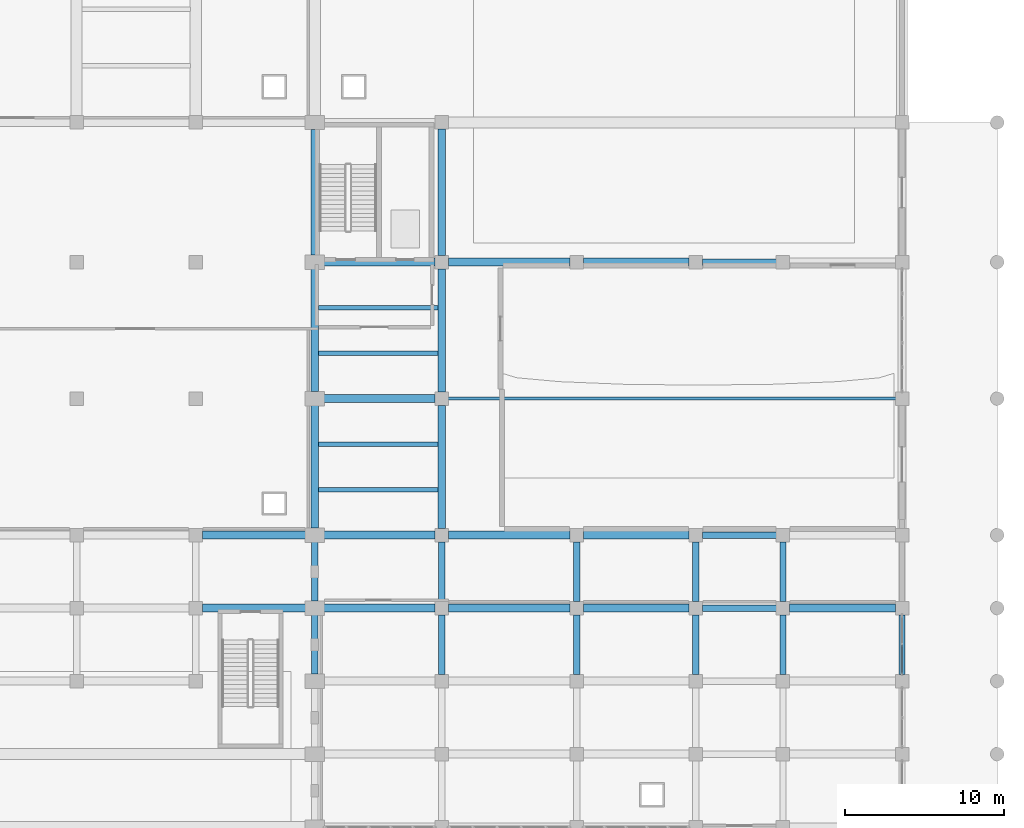
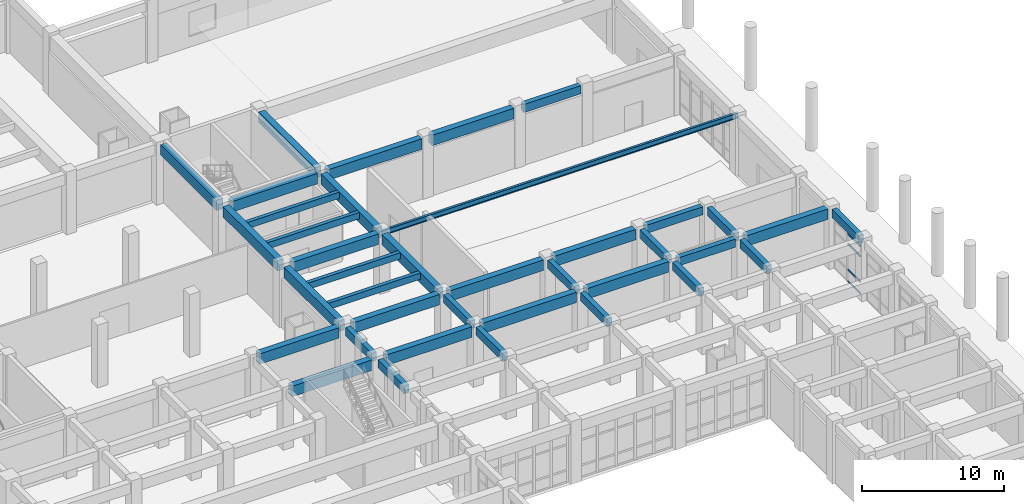
# One storey, part 48 of 84: 38 beams, 4 members, 1 element without a shape of its own.
"""IFC4 building model written with IfcOpenShell, lengths in metres."""

from ifc_helpers import new_model, si_unit, direction, frame, origin, origin_2d, place, context, subcontext, project, spatial, rectangle, hollow_rectangle, i_section, extrude, material, layer, layer_set, material_profile, profile_set, type_object, element, aggregate, save


model = new_model("IFC4")

# Units and contexts
model_context = context("Model", 3, precision=1e-05, world=origin(), true_north=direction((0.0, 1.0)))
body_context = subcontext(model_context, "Body", "Model", "MODEL_VIEW")
ifc_project = project(units=[si_unit("LENGTHUNIT", "METRE"), si_unit("AREAUNIT", "SQUARE_METRE"), si_unit("VOLUMEUNIT", "CUBIC_METRE"), si_unit("PLANEANGLEUNIT", "RADIAN"), si_unit("MASSUNIT", "GRAM", prefix="KILO")], contexts=[model_context])

# Site, building, storey
site_placement = place(None, origin())
site = spatial("IfcSite", under=ifc_project, at=site_placement, CompositionType="ELEMENT")
building_placement = place(site_placement, origin())
building = spatial("IfcBuilding", under=site, at=building_placement, Name="Muzn Square Opera House", CompositionType="ELEMENT")
storey_placement = place(building_placement, origin())
storey = spatial("IfcBuildingStorey", under=building, at=storey_placement, Name="L00", CompositionType="ELEMENT", Elevation=0.0)

# Curtain wall, members
ifc_material_1 = material(Name="Low-E laminated acoustic double glazing", Category="glass")
ifc_layer = layer(ifc_material_1, 0.159912109375, Name="Low-E laminated acoustic double glazing", Category="glass")
ifc_layer_set = layer_set([ifc_layer], Name="Low-E laminated acoustic double glazing")
curtain_wall_type = type_object("IfcCurtainWallType", Name="Glazed Curtain Wall EastBlvd 3750x4150", PredefinedType="USERDEFINED", material=ifc_layer_set)
curtain_wall_placement = place(storey_placement, origin())
curtain_wall = element("IfcCurtainWall", 1, at=curtain_wall_placement, inside=storey, type_object=curtain_wall_type, Name="Glazed Curtain Wall CW-L00-110", ObjectType="GLAZED CURTAIN WALL", PredefinedType="USERDEFINED")
ifc_material_2 = material(Name="Anodised bronze aluminium 6063-T6", Category="metal")
ifc_material_profile_1 = material_profile(ifc_material_2, hollow_rectangle(XDim=0.070068359375, YDim=0.139892578125, WallThickness=0.00390625, at=origin_2d()), Name="ALU 140x70x4", Category="metal")
ifc_profile_set_1 = profile_set([ifc_material_profile_1], Name="Anodised bronze aluminium 6063-T6")
member_type = type_object("IfcMemberType", Name="Curtain Wall Transom 140x70", PredefinedType="USERDEFINED", material=ifc_profile_set_1)
member_1_placement = place(storey_placement, frame((170.0, 63.89501953125, 0.034912109375), z_axis=(0.0, 1.0, 0.0), x_axis=(-1.0, 0.0, 0.0)))
member_1 = element("IfcMember", 2, at=member_1_placement, type_object=member_type, Name="CW-EBL-37x41 transom 1.1", ObjectType="TRANSOM", PredefinedType="USERDEFINED", context=body_context, shape_type="SweptSolid", body=[
    extrude(hollow_rectangle(XDim=0.070068359375, YDim=0.139892578125, WallThickness=0.00390625, at=origin_2d()), origin(), (0.0, 0.0, 1.0), 1.77001953125),
])
member_2_placement = place(storey_placement, frame((170.0, 63.89501953125, 1.050048828125), z_axis=(0.0, 1.0, 0.0), x_axis=(-1.0, 0.0, 0.0)))
member_2 = element("IfcMember", 3, at=member_2_placement, type_object=member_type, Name="CW-EBL-37x41 transom 1.2", ObjectType="TRANSOM", PredefinedType="USERDEFINED", context=body_context, shape_type="SweptSolid", body=[
    extrude(hollow_rectangle(XDim=0.070068359375, YDim=0.139892578125, WallThickness=0.00390625, at=origin_2d()), origin(), (0.0, 0.0, 1.0), 1.77001953125),
])
member_3_placement = place(storey_placement, frame((170.0, 63.89501953125, 3.25), z_axis=(0.0, 1.0, 0.0), x_axis=(-1.0, 0.0, 0.0)))
member_3 = element("IfcMember", 4, at=member_3_placement, type_object=member_type, Name="CW-EBL-37x41 transom 1.3", ObjectType="TRANSOM", PredefinedType="USERDEFINED", context=body_context, shape_type="SweptSolid", body=[
    extrude(hollow_rectangle(XDim=0.070068359375, YDim=0.139892578125, WallThickness=0.00390625, at=origin_2d()), origin(), (0.0, 0.0, 1.0), 1.77001953125),
])
member_4_placement = place(storey_placement, frame((170.0, 63.89501953125, 4.114990234375), z_axis=(0.0, 1.0, 0.0), x_axis=(-1.0, 0.0, 0.0)))
member_4 = element("IfcMember", 5, at=member_4_placement, type_object=member_type, Name="CW-EBL-37x41 transom 1.4", ObjectType="TRANSOM", PredefinedType="USERDEFINED", context=body_context, shape_type="SweptSolid", body=[
    extrude(hollow_rectangle(XDim=0.070068359375, YDim=0.139892578125, WallThickness=0.00390625, at=origin_2d()), origin(), (0.0, 0.0, 1.0), 1.77001953125),
])
aggregate(curtain_wall, [member_1, member_2, member_3, member_4])

# Beams
ifc_material_3 = material(Name="Concrete C40/50", Category="concrete")
ifc_material_profile_2 = material_profile(ifc_material_3, rectangle(XDim=0.300048828125, YDim=0.550048828125, at=origin_2d()), Name="RCJ 300x550", Category="concrete")
ifc_profile_set_2 = profile_set([ifc_material_profile_2], Name="Concrete C40/50")
beam_type_1 = type_object("IfcBeamType", Name="Floor Joist 300x550", PredefinedType="JOIST", material=ifc_profile_set_2)
for number, where, z_axis, x_axis, name in (
    (6, (133.241943359375, 75.466796875, 4.844970703125), (1.0, 0.0, 0.0), (0.0, 1.0, 0.0), "Floor Joist BM-L00-BM-J550-1332_755_1408_755-1227"),
    (7, (133.241943359375, 78.333251953125, 4.844970703125), (1.0, 0.0, 0.0), (0.0, 1.0, 0.0), "Floor Joist BM-L00-BM-J550-1332_783_1408_783-1228"),
    (8, (133.241943359375, 84.066650390625, 4.844970703125), (1.0, 0.0, 0.0), (0.0, 1.0, 0.0), "Floor Joist BM-L00-BM-J550-1332_841_1408_841-1229"),
    (9, (133.241943359375, 86.933349609375, 4.844970703125), (1.0, 0.0, 0.0), (0.0, 1.0, 0.0), "Floor Joist BM-L00-BM-J550-1332_869_1408_869-1230"),
):
    element("IfcBeam", number, at=place(storey_placement, frame(where, z_axis=z_axis, x_axis=x_axis)), inside=storey, type_object=beam_type_1, Name=name, PredefinedType="JOIST", context=body_context, shape_type="SweptSolid", body=[
        extrude(rectangle(XDim=0.300048828125, YDim=0.550048828125, at=origin_2d()), origin(), (0.0, 0.0, 1.0), 7.51611328125),
    ])
ifc_material_profile_3 = material_profile(ifc_material_3, rectangle(XDim=0.39990234375, YDim=0.699951171875, at=origin_2d()), Name="RCB 400x700", Category="concrete")
ifc_profile_set_3 = profile_set([ifc_material_profile_3], Name="Concrete C40/50")
beam_type_2 = type_object("IfcBeamType", Name="Primary Girder 400x700", PredefinedType="BEAM", material=ifc_profile_set_3)
for number, where, z_axis, x_axis, name in (
    (10, (157.4169921875, 68.0, 4.77001953125), (1.0, 0.0, 0.0), (0.0, 1.0, 0.0), "Primary Girder BM-L00-BM-PG700-1574_680_1621_680-895"),
    (11, (157.4169921875, 72.60009765625, 4.77001953125), (1.0, 0.0, 0.0), (0.0, 1.0, 0.0), "Primary Girder BM-L00-BM-PG700-1574_726_1621_726-911"),
    (12, (157.4169921875, 89.800048828125, 4.77001953125), (1.0, 0.0, 0.0), (0.0, 1.0, 0.0), "Primary Girder BM-L00-BM-PG700-1574_898_1621_898-923"),
):
    element("IfcBeam", number, at=place(storey_placement, frame(where, z_axis=z_axis, x_axis=x_axis)), inside=storey, type_object=beam_type_2, Name=name, PredefinedType="BEAM", context=body_context, shape_type="SweptSolid", body=[
        extrude(rectangle(XDim=0.39990234375, YDim=0.699951171875, at=origin_2d()), origin(), (0.0, 0.0, 1.0), 4.666015625),
    ])
for number, where, z_axis, x_axis, name in (
    (13, (133.0, 63.842041015625, 4.77001953125), (0.0, 1.0, 0.0), (-1.0, 0.0, 0.0), "Primary Girder BM-L00-BM-PG700-1330_638_1330_676-1113"),
    (14, (133.0, 68.44189453125, 4.77001953125), (0.0, 1.0, 0.0), (-1.0, 0.0, 0.0), "Primary Girder BM-L00-BM-PG700-1330_684_1330_722-1114"),
):
    element("IfcBeam", number, at=place(storey_placement, frame(where, z_axis=z_axis, x_axis=x_axis)), inside=storey, type_object=beam_type_2, Name=name, PredefinedType="BEAM", context=body_context, shape_type="SweptSolid", body=[
        extrude(rectangle(XDim=0.39990234375, YDim=0.699951171875, at=origin_2d()), origin(), (0.0, 0.0, 1.0), 3.716064453125),
    ])
for number, where, z_axis, x_axis, name in (
    (15, (141.0, 63.81689453125, 4.77001953125), (0.0, 1.0, 0.0), (-1.0, 0.0, 0.0), "Primary Girder BM-L00-BM-PG700-1410_638_1410_676-1125"),
    (16, (141.0, 68.4169921875, 4.77001953125), (0.0, 1.0, 0.0), (-1.0, 0.0, 0.0), "Primary Girder BM-L00-BM-PG700-1410_684_1410_722-1126"),
    (17, (149.5, 63.81689453125, 4.77001953125), (0.0, 1.0, 0.0), (-1.0, 0.0, 0.0), "Primary Girder BM-L00-BM-PG700-1495_638_1495_676-1137"),
    (18, (149.5, 68.4169921875, 4.77001953125), (0.0, 1.0, 0.0), (-1.0, 0.0, 0.0), "Primary Girder BM-L00-BM-PG700-1495_684_1495_722-1138"),
    (19, (157.0, 63.81689453125, 4.77001953125), (0.0, 1.0, 0.0), (-1.0, 0.0, 0.0), "Primary Girder BM-L00-BM-PG700-1570_638_1570_676-1149"),
    (20, (157.0, 68.4169921875, 4.77001953125), (0.0, 1.0, 0.0), (-1.0, 0.0, 0.0), "Primary Girder BM-L00-BM-PG700-1570_684_1570_722-1150"),
    (21, (162.5, 63.81689453125, 4.77001953125), (0.0, 1.0, 0.0), (-1.0, 0.0, 0.0), "Primary Girder BM-L00-BM-PG700-1625_638_1625_676-1163"),
    (22, (162.5, 68.4169921875, 4.77001953125), (0.0, 1.0, 0.0), (-1.0, 0.0, 0.0), "Primary Girder BM-L00-BM-PG700-1625_684_1625_722-1164"),
    (23, (170.0, 63.81689453125, 4.77001953125), (0.0, 1.0, 0.0), (-1.0, 0.0, 0.0), "Primary Girder BM-L00-BM-PG700-1700_638_1700_676-1177"),
):
    element("IfcBeam", number, at=place(storey_placement, frame(where, z_axis=z_axis, x_axis=x_axis)), inside=storey, type_object=beam_type_2, Name=name, PredefinedType="BEAM", context=body_context, shape_type="SweptSolid", body=[
        extrude(rectangle(XDim=0.39990234375, YDim=0.699951171875, at=origin_2d()), origin(), (0.0, 0.0, 1.0), 3.76611328125),
    ])
ifc_material_profile_4 = material_profile(ifc_material_3, rectangle(XDim=0.5, YDim=0.89990234375, at=origin_2d()), Name="RCB 500x900", Category="concrete")
ifc_profile_set_4 = profile_set([ifc_material_profile_4], Name="Concrete C40/50")
beam_type_3 = type_object("IfcBeamType", Name="Primary Girder 500x900", PredefinedType="BEAM", material=ifc_profile_set_4)
beam_1_placement = place(storey_placement, frame((125.9169921875, 68.0, 4.669921875), z_axis=(1.0, 0.0, 0.0), x_axis=(0.0, 1.0, 0.0)))
element("IfcBeam", 24, at=beam_1_placement, inside=storey, type_object=beam_type_3, Name="Primary Girder BM-L00-BM-PG900-1259_680_1324_680-891", PredefinedType="BEAM", context=body_context, shape_type="SweptSolid", body=[
    extrude(rectangle(XDim=0.5, YDim=0.89990234375, at=origin_2d()), origin(), (0.0, 0.0, 1.0), 6.490966796875),
])
beam_2_placement = place(storey_placement, frame((133.592041015625, 68.0, 4.669921875), z_axis=(1.0, 0.0, 0.0), x_axis=(0.0, 1.0, 0.0)))
element("IfcBeam", 25, at=beam_2_placement, inside=storey, type_object=beam_type_3, Name="Primary Girder BM-L00-BM-PG900-1336_680_1406_680-892", PredefinedType="BEAM", context=body_context, shape_type="SweptSolid", body=[
    extrude(rectangle(XDim=0.5, YDim=0.89990234375, at=origin_2d()), origin(), (0.0, 0.0, 1.0), 6.990966796875),
])
beam_3_placement = place(storey_placement, frame((141.4169921875, 68.0, 4.669921875), z_axis=(1.0, 0.0, 0.0), x_axis=(0.0, 1.0, 0.0)))
element("IfcBeam", 26, at=beam_3_placement, inside=storey, type_object=beam_type_3, Name="Primary Girder BM-L00-BM-PG900-1414_680_1491_680-893", PredefinedType="BEAM", context=body_context, shape_type="SweptSolid", body=[
    extrude(rectangle(XDim=0.5, YDim=0.89990234375, at=origin_2d()), origin(), (0.0, 0.0, 1.0), 7.666015625),
])
for number, where, z_axis, x_axis, name in (
    (27, (149.9169921875, 68.0, 4.669921875), (1.0, 0.0, 0.0), (0.0, 1.0, 0.0), "Primary Girder BM-L00-BM-PG900-1499_680_1566_680-894"),
    (28, (162.9169921875, 68.0, 4.669921875), (1.0, 0.0, 0.0), (0.0, 1.0, 0.0), "Primary Girder BM-L00-BM-PG900-1629_680_1696_680-896"),
):
    element("IfcBeam", number, at=place(storey_placement, frame(where, z_axis=z_axis, x_axis=x_axis)), inside=storey, type_object=beam_type_3, Name=name, PredefinedType="BEAM", context=body_context, shape_type="SweptSolid", body=[
        extrude(rectangle(XDim=0.5, YDim=0.89990234375, at=origin_2d()), origin(), (0.0, 0.0, 1.0), 6.666015625),
    ])
beam_4_placement = place(storey_placement, frame((125.9169921875, 72.60009765625, 4.669921875), z_axis=(1.0, 0.0, 0.0), x_axis=(0.0, 1.0, 0.0)))
element("IfcBeam", 29, at=beam_4_placement, inside=storey, type_object=beam_type_3, Name="Primary Girder BM-L00-BM-PG900-1259_726_1324_726-907", PredefinedType="BEAM", context=body_context, shape_type="SweptSolid", body=[
    extrude(rectangle(XDim=0.5, YDim=0.89990234375, at=origin_2d()), origin(), (0.0, 0.0, 1.0), 6.490966796875),
])
beam_5_placement = place(storey_placement, frame((133.592041015625, 72.60009765625, 4.669921875), z_axis=(1.0, 0.0, 0.0), x_axis=(0.0, 1.0, 0.0)))
element("IfcBeam", 30, at=beam_5_placement, inside=storey, type_object=beam_type_3, Name="Primary Girder BM-L00-BM-PG900-1336_726_1406_726-908", PredefinedType="BEAM", context=body_context, shape_type="SweptSolid", body=[
    extrude(rectangle(XDim=0.5, YDim=0.89990234375, at=origin_2d()), origin(), (0.0, 0.0, 1.0), 6.990966796875),
])
beam_6_placement = place(storey_placement, frame((141.4169921875, 72.60009765625, 4.669921875), z_axis=(1.0, 0.0, 0.0), x_axis=(0.0, 1.0, 0.0)))
element("IfcBeam", 31, at=beam_6_placement, inside=storey, type_object=beam_type_3, Name="Primary Girder BM-L00-BM-PG900-1414_726_1491_726-909", PredefinedType="BEAM", context=body_context, shape_type="SweptSolid", body=[
    extrude(rectangle(XDim=0.5, YDim=0.89990234375, at=origin_2d()), origin(), (0.0, 0.0, 1.0), 7.666015625),
])
beam_7_placement = place(storey_placement, frame((149.9169921875, 72.60009765625, 4.669921875), z_axis=(1.0, 0.0, 0.0), x_axis=(0.0, 1.0, 0.0)))
element("IfcBeam", 32, at=beam_7_placement, inside=storey, type_object=beam_type_3, Name="Primary Girder BM-L00-BM-PG900-1499_726_1566_726-910", PredefinedType="BEAM", context=body_context, shape_type="SweptSolid", body=[
    extrude(rectangle(XDim=0.5, YDim=0.89990234375, at=origin_2d()), origin(), (0.0, 0.0, 1.0), 6.666015625),
])
for number, where, z_axis, x_axis, name in (
    (33, (133.592041015625, 81.199951171875, 4.669921875), (1.0, 0.0, 0.0), (0.0, 1.0, 0.0), "Primary Girder BM-L00-BM-PG900-1336_812_1406_812-916"),
    (34, (133.592041015625, 89.800048828125, 4.669921875), (1.0, 0.0, 0.0), (0.0, 1.0, 0.0), "Primary Girder BM-L00-BM-PG900-1336_898_1406_898-920"),
):
    element("IfcBeam", number, at=place(storey_placement, frame(where, z_axis=z_axis, x_axis=x_axis)), inside=storey, type_object=beam_type_3, Name=name, PredefinedType="BEAM", context=body_context, shape_type="SweptSolid", body=[
        extrude(rectangle(XDim=0.5, YDim=0.89990234375, at=origin_2d()), origin(), (0.0, 0.0, 1.0), 6.990966796875),
    ])
beam_8_placement = place(storey_placement, frame((141.4169921875, 89.800048828125, 4.669921875), z_axis=(1.0, 0.0, 0.0), x_axis=(0.0, 1.0, 0.0)))
element("IfcBeam", 35, at=beam_8_placement, inside=storey, type_object=beam_type_3, Name="Primary Girder BM-L00-BM-PG900-1414_898_1491_898-921", PredefinedType="BEAM", context=body_context, shape_type="SweptSolid", body=[
    extrude(rectangle(XDim=0.5, YDim=0.89990234375, at=origin_2d()), origin(), (0.0, 0.0, 1.0), 7.666015625),
])
beam_9_placement = place(storey_placement, frame((149.9169921875, 89.800048828125, 4.669921875), z_axis=(1.0, 0.0, 0.0), x_axis=(0.0, 1.0, 0.0)))
element("IfcBeam", 36, at=beam_9_placement, inside=storey, type_object=beam_type_3, Name="Primary Girder BM-L00-BM-PG900-1499_898_1566_898-922", PredefinedType="BEAM", context=body_context, shape_type="SweptSolid", body=[
    extrude(rectangle(XDim=0.5, YDim=0.89990234375, at=origin_2d()), origin(), (0.0, 0.0, 1.0), 6.666015625),
])
beam_10_placement = place(storey_placement, frame((133.0, 73.0419921875, 4.669921875), z_axis=(0.0, 1.0, 0.0), x_axis=(-1.0, 0.0, 0.0)))
element("IfcBeam", 37, at=beam_10_placement, inside=storey, type_object=beam_type_3, Name="Primary Girder BM-L00-BM-PG900-1330_730_1330_808-1115", PredefinedType="BEAM", context=body_context, shape_type="SweptSolid", body=[
    extrude(rectangle(XDim=0.5, YDim=0.89990234375, at=origin_2d()), origin(), (0.0, 0.0, 1.0), 7.716064453125),
])
beam_11_placement = place(storey_placement, frame((133.0, 81.64208984375, 4.669921875), z_axis=(0.0, 1.0, 0.0), x_axis=(-1.0, 0.0, 0.0)))
element("IfcBeam", 38, at=beam_11_placement, inside=storey, type_object=beam_type_3, Name="Primary Girder BM-L00-BM-PG900-1330_816_1330_894-1116", PredefinedType="BEAM", context=body_context, shape_type="SweptSolid", body=[
    extrude(rectangle(XDim=0.5, YDim=0.89990234375, at=origin_2d()), origin(), (0.0, 0.0, 1.0), 7.7158203125),
])
beam_12_placement = place(storey_placement, frame((133.0, 90.241943359375, 4.669921875), z_axis=(0.0, 1.0, 0.0), x_axis=(-1.0, 0.0, 0.0)))
element("IfcBeam", 39, at=beam_12_placement, inside=storey, type_object=beam_type_3, Name="Primary Girder BM-L00-BM-PG900-1330_902_1330_982-1117", PredefinedType="BEAM", context=body_context, shape_type="SweptSolid", body=[
    extrude(rectangle(XDim=0.5, YDim=0.89990234375, at=origin_2d()), origin(), (0.0, 0.0, 1.0), 7.916015625),
])
beam_13_placement = place(storey_placement, frame((141.0, 73.01708984375, 4.669921875), z_axis=(0.0, 1.0, 0.0), x_axis=(-1.0, 0.0, 0.0)))
element("IfcBeam", 40, at=beam_13_placement, inside=storey, type_object=beam_type_3, Name="Primary Girder BM-L00-BM-PG900-1410_730_1410_808-1127", PredefinedType="BEAM", context=body_context, shape_type="SweptSolid", body=[
    extrude(rectangle(XDim=0.5, YDim=0.89990234375, at=origin_2d()), origin(), (0.0, 0.0, 1.0), 7.765869140625),
])
beam_14_placement = place(storey_placement, frame((141.0, 81.616943359375, 4.669921875), z_axis=(0.0, 1.0, 0.0), x_axis=(-1.0, 0.0, 0.0)))
element("IfcBeam", 41, at=beam_14_placement, inside=storey, type_object=beam_type_3, Name="Primary Girder BM-L00-BM-PG900-1410_816_1410_894-1128", PredefinedType="BEAM", context=body_context, shape_type="SweptSolid", body=[
    extrude(rectangle(XDim=0.5, YDim=0.89990234375, at=origin_2d()), origin(), (0.0, 0.0, 1.0), 7.76611328125),
])
beam_15_placement = place(storey_placement, frame((141.0, 90.217041015625, 4.669921875), z_axis=(0.0, 1.0, 0.0), x_axis=(-1.0, 0.0, 0.0)))
element("IfcBeam", 42, at=beam_15_placement, inside=storey, type_object=beam_type_3, Name="Primary Girder BM-L00-BM-PG900-1410_902_1410_982-1129", PredefinedType="BEAM", context=body_context, shape_type="SweptSolid", body=[
    extrude(rectangle(XDim=0.5, YDim=0.89990234375, at=origin_2d()), origin(), (0.0, 0.0, 1.0), 7.966064453125),
])
ifc_material_4 = material(Name="Steel S355", Category="steel")
ifc_material_profile_5 = material_profile(ifc_material_4, i_section(OverallWidth=0.18994140625, OverallDepth=0.449951171875, WebThickness=0.009521484375, FlangeThickness=0.0146484375, FilletRadius=0.02099609375, at=origin_2d()), Name="IPE 450", Category="steel")
ifc_profile_set_5 = profile_set([ifc_material_profile_5], Name="Steel S355")
beam_type_4 = type_object("IfcBeamType", Name="Studio Raker Beam IPE450", PredefinedType="USERDEFINED", material=ifc_profile_set_5)
beam_16_placement = place(storey_placement, frame((141.0, 81.199951171875, 4.925048828125), z_axis=(1.0, 0.0, 0.0), x_axis=(0.0, 1.0, 0.0)))
element("IfcBeam", 43, at=beam_16_placement, inside=storey, type_object=beam_type_4, Name="Studio Theatre Circle Trimmer Raker Beam L00", ObjectType="RAKER", PredefinedType="USERDEFINED", context=body_context, shape_type="SweptSolid", body=[
    extrude(i_section(OverallWidth=0.18994140625, OverallDepth=0.449951171875, WebThickness=0.009521484375, FlangeThickness=0.0146484375, FilletRadius=0.02099609375, at=origin_2d()), origin(), (0.0, 0.0, 1.0), 29.0),
])

save(model, "model.ifc")
